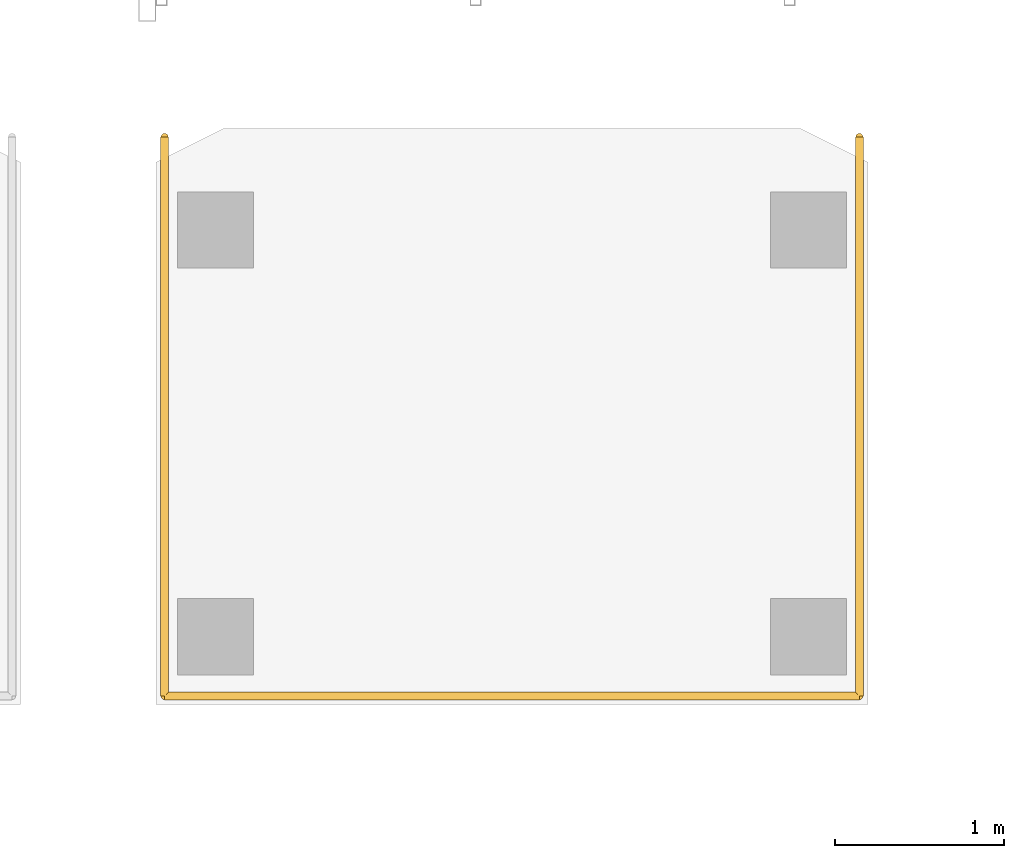
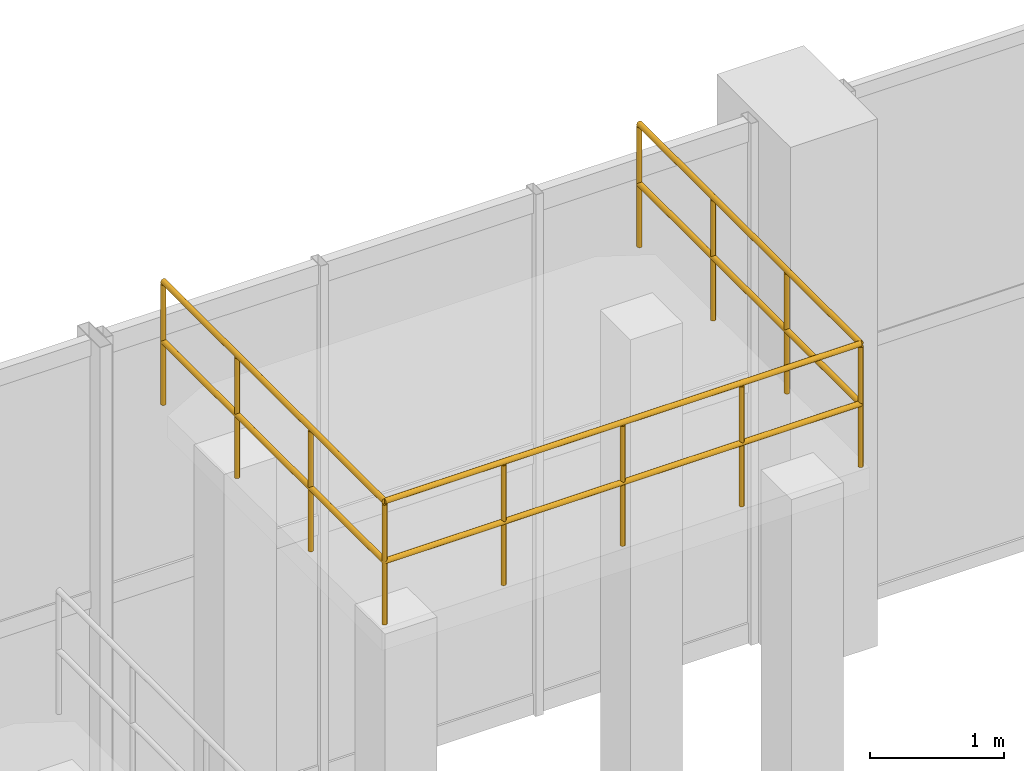
# One storey, part 105 of 106: 1 railing.
"""IFC4 building model written with IfcOpenShell, lengths in metres."""

import ifcopenshell
import ifcopenshell.guid

model = None  # the IFC model being written
_history = None  # IfcOwnerHistory: only IFC2X3 demands one
_inside = {}  # id of a spatial element -> (the spatial element, [elements in it])
_under = {}  # id of a project, library or spatial element -> (it, [spatial elements below it])
_declared = {}  # id of a project -> (the project, [libraries it declares])
_typed = {}  # id of a type object -> (the type object, [elements of that type])
_made_of = {}  # id of a material, layer set ... -> (it, [elements and type objects made of it])


def new_model(schema):
    """Start an empty IFC model of exactly this schema.

    Asked for "IFC4X3", IfcOpenShell would pick the latest addendum, in which some entities
    have other attributes; the version numbers below select the first issue.
    IFC2X3 requires an IfcOwnerHistory on every rooted entity: one is made here for all.
    """
    global model, _history
    if schema == "IFC4X3":
        model = ifcopenshell.file(schema_version=(4, 3, 0, 0))
    else:
        model = ifcopenshell.file(schema=schema)
    _inside.clear()
    _under.clear()
    _declared.clear()
    _typed.clear()
    _made_of.clear()
    _history = None
    if model.schema == "IFC2X3":
        org = make("IfcOrganization", Name="unknown")
        user = make(
            "IfcPersonAndOrganization",
            ThePerson=make("IfcPerson", FamilyName="unknown"),
            TheOrganization=org,
        )
        app = make(
            "IfcApplication",
            ApplicationDeveloper=org,
            Version="unknown",
            ApplicationFullName="unknown",
            ApplicationIdentifier="unknown",
        )
        _history = make(
            "IfcOwnerHistory",
            OwningUser=user,
            OwningApplication=app,
            ChangeAction="ADDED",
            CreationDate=0,
        )
    return model


def make(cls, **values):
    """One entity of the class cls with the attributes given. An attribute that is None is left unset."""
    return model.create_entity(
        cls, **{name: value for name, value in values.items() if value is not None}
    )


def rooted(cls, **values):
    """An entity with a GlobalId (a new one), such as an element, a storey or a relation."""
    return make(cls, GlobalId=ifcopenshell.guid.new(), OwnerHistory=_history, **values)


def si_unit(unit_type, name, prefix=None):
    """IfcSIUnit, for example si_unit("LENGTHUNIT", "METRE", prefix="MILLI")."""
    return make("IfcSIUnit", UnitType=unit_type, Prefix=prefix, Name=name)


def assignment(units):
    """IfcUnitAssignment: the units of a project."""
    return None if units is None else make("IfcUnitAssignment", Units=units)


def point(xyz):
    """IfcCartesianPoint."""
    return None if xyz is None else make("IfcCartesianPoint", Coordinates=xyz)


def direction(xyz):
    """IfcDirection."""
    return None if xyz is None else make("IfcDirection", DirectionRatios=xyz)


def frame(location, z_axis=None, x_axis=None):
    """IfcAxis2Placement3D, a coordinate frame: its origin and axes. An axis left out is left unset."""
    return make(
        "IfcAxis2Placement3D",
        Location=point(location),
        Axis=direction(z_axis),
        RefDirection=direction(x_axis),
    )


def frame_2d(location, x_axis=None):
    """IfcAxis2Placement2D, a coordinate frame in the plane: its origin and x axis."""
    return make(
        "IfcAxis2Placement2D", Location=point(location), RefDirection=direction(x_axis)
    )


def origin():
    """The frame at (0, 0, 0) with its axes left unset."""
    return frame((0.0, 0.0, 0.0))


def origin_2d():
    """The frame at (0, 0) in the plane with its x axis left unset."""
    return frame_2d((0.0, 0.0))


def place(relative_to, where):
    """IfcLocalPlacement: puts the frame where relative to a parent placement (None: the world)."""
    return make(
        "IfcLocalPlacement", PlacementRelTo=relative_to, RelativePlacement=where
    )


def context(
    kind, dimensions, precision=None, world=None, true_north=None, identifier=None
):
    """IfcGeometricRepresentationContext, for example the 3D "Model" context."""
    return make(
        "IfcGeometricRepresentationContext",
        ContextIdentifier=identifier,
        ContextType=kind,
        CoordinateSpaceDimension=dimensions,
        Precision=precision,
        WorldCoordinateSystem=world,
        TrueNorth=true_north,
    )


def subcontext(parent, identifier, kind, view, scale=None):
    """IfcGeometricRepresentationSubContext, for example "Body" below "Model"."""
    return make(
        "IfcGeometricRepresentationSubContext",
        ContextIdentifier=identifier,
        ContextType=kind,
        ParentContext=parent,
        TargetScale=scale,
        TargetView=view,
    )


def project(units=None, contexts=None):
    """IfcProject with its units and contexts."""
    return rooted(
        "IfcProject",
        Name="project",
        RepresentationContexts=contexts,
        UnitsInContext=assignment(units),
    )


def spatial(cls, under=None, at=None, **own):
    """A site, building, storey or space (cls), placed at a placement, below another one or the project."""
    s = rooted(cls, ObjectPlacement=at, **own)
    if under is not None:
        _under.setdefault(under.id(), (under, []))[1].append(s)
    return s


def profile(cls, at=None, kind="AREA", **sizes):
    """A parametric profile (cls). Its sizes go by their IFC names, for example OverallWidth=200.0."""
    return make(cls, ProfileType=kind, Position=at, **sizes)


def circle(**sizes):
    """IfcCircleProfileDef."""
    return profile("IfcCircleProfileDef", **sizes)


def extrude(swept, where, along, depth):
    """IfcExtrudedAreaSolid: the profile swept, set in the frame where, extruded along a direction by depth."""
    return make(
        "IfcExtrudedAreaSolid",
        SweptArea=swept,
        Position=where,
        ExtrudedDirection=direction(along),
        Depth=depth,
    )


def shape(context_of_items, identifier, shape_type, items):
    """IfcShapeRepresentation: the items that make up one representation, for example the "Body"."""
    return make(
        "IfcShapeRepresentation",
        ContextOfItems=context_of_items,
        RepresentationIdentifier=identifier,
        RepresentationType=shape_type,
        Items=items,
    )


def material(Name=None, Category=None):
    """IfcMaterial."""
    return make("IfcMaterial", Name=Name, Category=Category)


def layer(
    of_material, thickness, ventilated=None, Name=None, Category=None, Priority=None
):
    """IfcMaterialLayer: one layer of a wall or slab, of a material (None: an air gap)."""
    return make(
        "IfcMaterialLayer",
        Material=of_material,
        LayerThickness=thickness,
        IsVentilated=ventilated,
        Name=Name,
        Category=Category,
        Priority=Priority,
    )


def layer_set(layers, Name=None):
    """IfcMaterialLayerSet."""
    return make("IfcMaterialLayerSet", MaterialLayers=layers, LayerSetName=Name)


def made_of(thing, what):
    """Note that an element or type object is made of a material, layer set ...; save() writes the relation."""
    if what is not None:
        _made_of.setdefault(what.id(), (what, []))[1].append(thing)
    return thing


def type_object(cls, material=None, **own):
    """A type object (cls), such as IfcWallType, which elements share."""
    return made_of(rooted(cls, **own), material)


def element(
    cls,
    number,
    at=None,
    inside=None,
    cuts=None,
    type_object=None,
    material=None,
    context=None,
    identifier="Body",
    shape_type=None,
    held_by="IfcProductDefinitionShape",
    body=None,
    shapes=None,
    **own,
):
    """One element of the class cls, such as IfcWall. Its Tag is "e" and its number.

    at: its placement. inside: the storey or other place that contains it. cuts: it is an
    opening in that element (IfcRelVoidsElement). A single representation is given by context,
    identifier, shape_type and body (its items); several are given by shapes. held_by: the class
    of the entity that holds the representations. save() writes the other relations.
    """
    e = rooted(cls, Tag="e%d" % number, ObjectPlacement=at, **own)
    if body is not None:
        shapes = [shape(context, identifier, shape_type, body)]
    if shapes is not None:
        e.Representation = make(held_by, Representations=shapes)
    if inside is not None:
        _inside.setdefault(inside.id(), (inside, []))[1].append(e)
    if cuts is not None:
        rooted(
            "IfcRelVoidsElement", RelatingBuildingElement=cuts, RelatedOpeningElement=e
        )
    if type_object is not None:
        _typed.setdefault(type_object.id(), (type_object, []))[1].append(e)
    return made_of(e, material)


def aggregate(whole, parts):
    """IfcRelAggregates: a whole, such as a stair, and the parts it consists of."""
    return rooted("IfcRelAggregates", RelatingObject=whole, RelatedObjects=parts)


def save(model, path):
    """Write the relations noted so far, then the file.

    IfcRelAggregates (storeys below a building ...), IfcRelContainedInSpatialStructure (elements
    in a storey), IfcRelDefinesByType, IfcRelAssociatesMaterial and IfcRelDeclares: one each for
    every whole, place, type object, material and project.
    """
    for whole, parts in _under.values():
        aggregate(whole, parts)
    for where, things in _inside.values():
        rooted(
            "IfcRelContainedInSpatialStructure",
            RelatedElements=things,
            RelatingStructure=where,
        )
    for kind, things in _typed.values():
        rooted("IfcRelDefinesByType", RelatedObjects=things, RelatingType=kind)
    for what, things in _made_of.values():
        rooted("IfcRelAssociatesMaterial", RelatedObjects=things, RelatingMaterial=what)
    for by, libraries in _declared.values():
        rooted("IfcRelDeclares", RelatingContext=by, RelatedDefinitions=libraries)
    model.write(path)


model = new_model("IFC4")

# Units and contexts
model_context = context("Model", 3, precision=1e-05, world=origin(), true_north=direction((0.0, 1.0)))
body_context = subcontext(model_context, "Body", "Model", "MODEL_VIEW")
ifc_project = project(units=[si_unit("LENGTHUNIT", "METRE"), si_unit("AREAUNIT", "SQUARE_METRE"), si_unit("VOLUMEUNIT", "CUBIC_METRE"), si_unit("PLANEANGLEUNIT", "RADIAN"), si_unit("MASSUNIT", "GRAM", prefix="KILO"), si_unit("POWERUNIT", "WATT"), si_unit("THERMODYNAMICTEMPERATUREUNIT", "KELVIN")], contexts=[model_context])

# Site, building, storey
site_placement = place(None, origin())
site = spatial("IfcSite", under=ifc_project, at=site_placement, CompositionType="ELEMENT")
building_placement = place(site_placement, origin())
building = spatial("IfcBuilding", under=site, at=building_placement, Name="Kelmbourne Parkland Aquatics Centre", CompositionType="ELEMENT")
storey_placement = place(building_placement, frame((0.0, 0.0, 5.39990234375)))
storey = spatial("IfcBuildingStorey", under=building, at=storey_placement, Name="L01", CompositionType="ELEMENT", Elevation=5.39990234375)

# Railing
ifc_material = material(Name="Grade 316 stainless steel and laminated glass balustrade", Category="glass")
ifc_layer = layer(ifc_material, 0.06005859375)
ifc_layer_set = layer_set([ifc_layer], Name="Grade 316 stainless steel and laminated glass balustrade")
railing_type = type_object("IfcRailingType", Name="RL-BL-114", PredefinedType="BALUSTRADE", material=ifc_layer_set)
railing_placement = place(storey_placement, frame((158.050048828125, 113.949951171875, 4.60009765625)))
element("IfcRailing", 1, at=railing_placement, inside=storey, type_object=railing_type, Name="Safety balustrade BAL-DIVE-10M", PredefinedType="BALUSTRADE", context=body_context, shape_type="SweptSolid", body=[
    extrude(circle(Radius=0.02392578125, at=origin_2d()), frame((0.0, 0.0, 1.11572265625), z_axis=(0.0, -1.0, 0.0), x_axis=(1.0, 0.0, 0.0)), (0.0, 0.0, 1.0), 3.300048828125),
    extrude(circle(Radius=0.02392578125, at=origin_2d()), frame((0.0, 0.0, 0.56982421875), z_axis=(0.0, -1.0, 0.0), x_axis=(1.0, 0.0, 0.0)), (0.0, 0.0, 1.0), 3.300048828125),
    extrude(circle(Radius=0.02392578125, at=origin_2d()), frame((0.0, -3.300048828125, 1.11572265625), z_axis=(1.0, 0.0, 0.0), x_axis=(0.0, 1.0, 0.0)), (0.0, 0.0, 1.0), 4.099853515625),
    extrude(circle(Radius=0.02392578125, at=origin_2d()), frame((0.0, -3.300048828125, 0.56982421875), z_axis=(1.0, 0.0, 0.0), x_axis=(0.0, 1.0, 0.0)), (0.0, 0.0, 1.0), 4.099853515625),
    extrude(circle(Radius=0.02392578125, at=origin_2d()), frame((4.099853515625, -3.300048828125, 1.11572265625), z_axis=(0.0, 1.0, 0.0), x_axis=(-1.0, 0.0, 0.0)), (0.0, 0.0, 1.0), 3.300048828125),
    extrude(circle(Radius=0.02392578125, at=origin_2d()), frame((4.099853515625, -3.300048828125, 0.56982421875), z_axis=(0.0, 1.0, 0.0), x_axis=(-1.0, 0.0, 0.0)), (0.0, 0.0, 1.0), 3.300048828125),
    extrude(circle(Radius=0.02099609375, at=origin_2d()), origin(), (0.0, 0.0, 1.0), 1.091796875),
    extrude(circle(Radius=0.02099609375, at=origin_2d()), frame((0.0, -1.10009765625, 0.0)), (0.0, 0.0, 1.0), 1.091796875),
    extrude(circle(Radius=0.02099609375, at=origin_2d()), frame((0.0, -2.199951171875, 0.0)), (0.0, 0.0, 1.0), 1.091796875),
    extrude(circle(Radius=0.02099609375, at=origin_2d()), frame((0.0, -3.300048828125, 0.0)), (0.0, 0.0, 1.0), 1.091796875),
    extrude(circle(Radius=0.02099609375, at=origin_2d()), frame((1.02490234375, -3.300048828125, 0.0)), (0.0, 0.0, 1.0), 1.091796875),
    extrude(circle(Radius=0.02099609375, at=origin_2d()), frame((2.0498046875, -3.300048828125, 0.0)), (0.0, 0.0, 1.0), 1.091796875),
    extrude(circle(Radius=0.02099609375, at=origin_2d()), frame((3.074951171875, -3.300048828125, 0.0)), (0.0, 0.0, 1.0), 1.091796875),
    extrude(circle(Radius=0.02099609375, at=origin_2d()), frame((4.099853515625, -3.300048828125, 0.0)), (0.0, 0.0, 1.0), 1.091796875),
    extrude(circle(Radius=0.02099609375, at=origin_2d()), frame((4.099853515625, -2.199951171875, 0.0)), (0.0, 0.0, 1.0), 1.091796875),
    extrude(circle(Radius=0.02099609375, at=origin_2d()), frame((4.099853515625, -1.10009765625, 0.0)), (0.0, 0.0, 1.0), 1.091796875),
    extrude(circle(Radius=0.02099609375, at=origin_2d()), frame((4.099853515625, 0.0, 0.0)), (0.0, 0.0, 1.0), 1.091796875),
])

save(model, "model.ifc")
